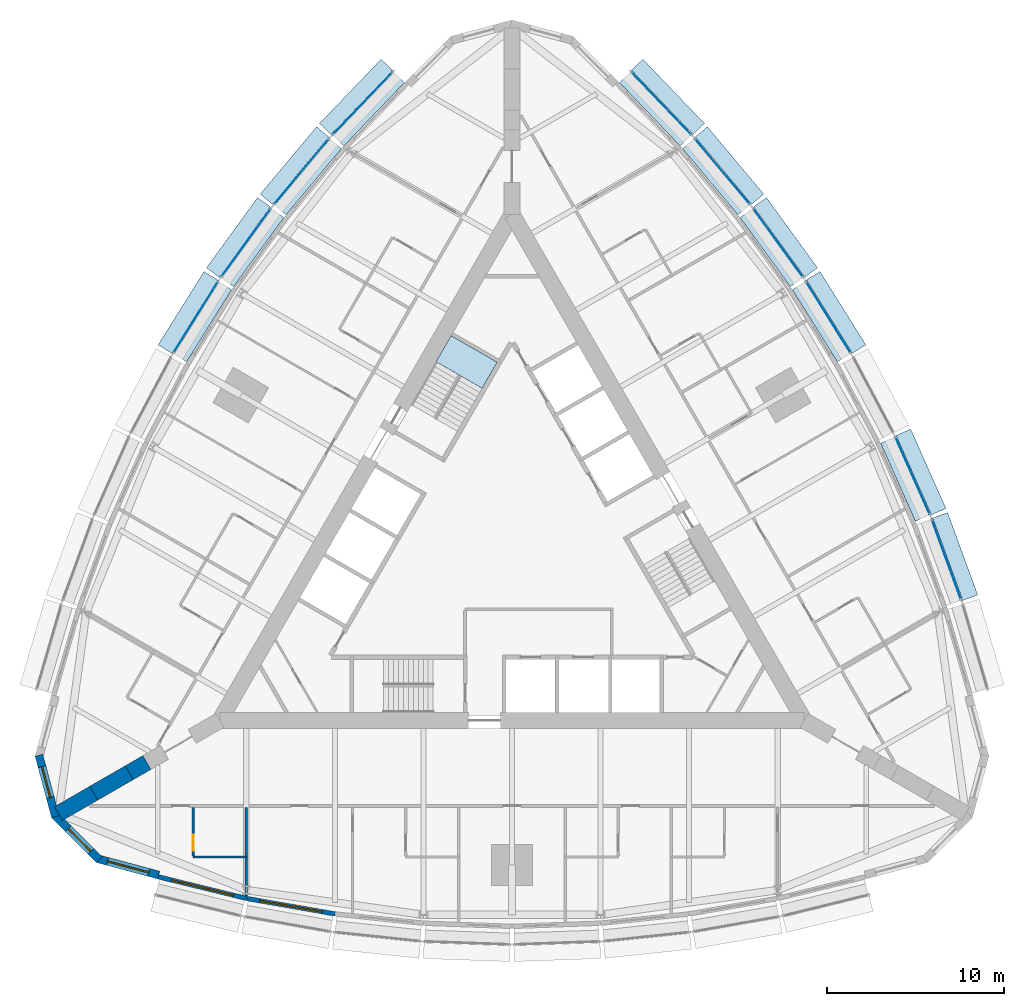
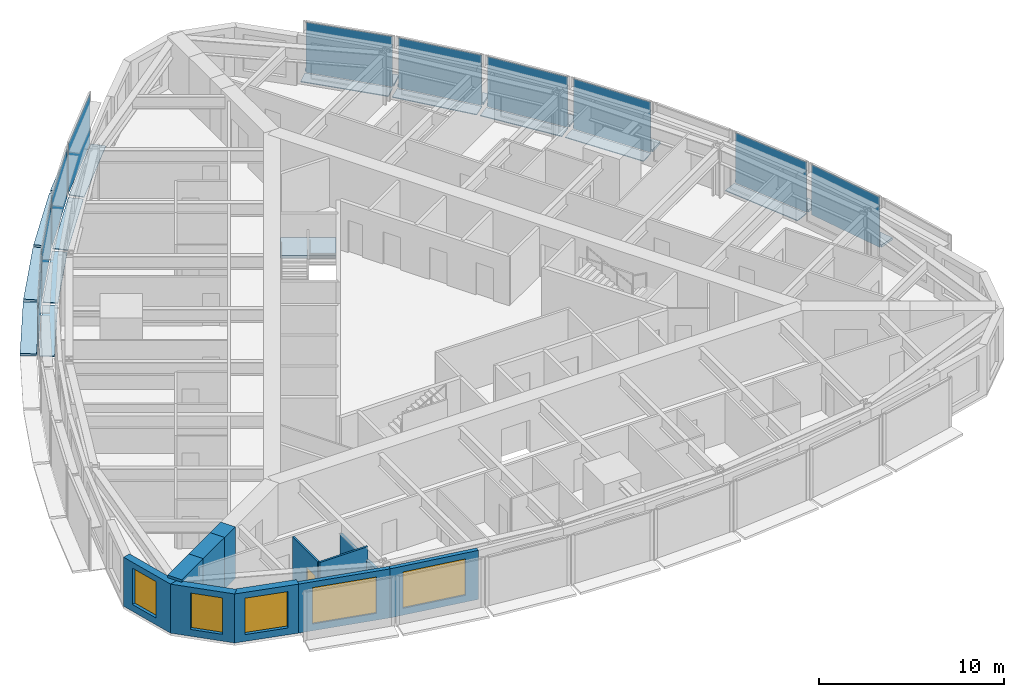
# One storey, part 7 of 14: 29 plates, 11 walls, 5 windows, 1 door, 1 slab, 6 openings, 11 elements without a shape of their own.
"""IFC4 building model written with IfcOpenShell, lengths in metres."""

from ifc_helpers import new_model, si_unit, direction, frame, frame_2d, origin, origin_2d, place, context, subcontext, project, spatial, polyline, rectangle, outline, extrude, material, layer, layer_set, type_object, element, fill, aggregate, save


model = new_model("IFC4")

# Units and contexts
model_context = context("Model", 3, precision=1e-05, world=origin(), true_north=direction((0.0, 1.0)))
body_context = subcontext(model_context, "Body", "Model", "MODEL_VIEW")
ifc_project = project(units=[si_unit("LENGTHUNIT", "METRE"), si_unit("AREAUNIT", "SQUARE_METRE"), si_unit("VOLUMEUNIT", "CUBIC_METRE"), si_unit("PLANEANGLEUNIT", "RADIAN"), si_unit("MASSUNIT", "GRAM", prefix="KILO")], contexts=[model_context])

# Site, building, storey
site_placement = place(None, origin())
site = spatial("IfcSite", under=ifc_project, at=site_placement, CompositionType="ELEMENT")
building_placement = place(site_placement, origin())
building = spatial("IfcBuilding", under=site, at=building_placement, Name="Trikona Tower", CompositionType="ELEMENT")
storey_placement = place(building_placement, frame((0.0, 0.0, 169.10009765625)))
storey = spatial("IfcBuildingStorey", under=building, at=storey_placement, Name="L45", CompositionType="ELEMENT", Elevation=169.10009765625)

# Plates
ifc_material_1 = material(Name="Aluminium bar grating", Category="aluminium")
ifc_layer_1 = layer(ifc_material_1, 0.050048828125)
ifc_layer_set_1 = layer_set([ifc_layer_1], Name="Cavity catwalk grating")
plate_type_1 = type_object("IfcPlateType", Name="Cavity catwalk grating", PredefinedType="USERDEFINED", material=ifc_layer_set_1)
plate_1_placement = place(storey_placement, frame((22.175048828125, 4.092529296875, -0.05029296875), z_axis=(0.0, 0.0, 1.0), x_axis=(-0.406843467615, 0.913497888809, 0.0)))
element("IfcPlate", 1, at=plate_1_placement, inside=storey, type_object=plate_type_1, Name="Cavity catwalk L45-14", ObjectType="CATWALK GRATING", PredefinedType="USERDEFINED", context=body_context, shape_type="SweptSolid", body=[
    extrude(rectangle(XDim=4.827392578125, YDim=0.830078125, at=origin_2d()), origin(), (0.0, 0.0, 1.0), 0.050048828125),
])
plate_2_placement = place(storey_placement, frame((17.450927734375, 12.978759765625, -0.05029296875), z_axis=(0.0, 0.0, 1.0), x_axis=(-0.529994748414, 0.848000923734, 0.0)))
element("IfcPlate", 2, at=plate_2_placement, inside=storey, type_object=plate_type_1, Name="Cavity catwalk L45-16", ObjectType="CATWALK GRATING", PredefinedType="USERDEFINED", context=body_context, shape_type="SweptSolid", body=[
    extrude(rectangle(XDim=4.802978515625, YDim=0.830078125, at=origin_2d()), origin(), (0.0, 0.0, 1.0), 0.050048828125),
])
plate_3_placement = place(storey_placement, frame((14.6318359375, 17.157958984375, -0.05029296875), z_axis=(0.0, 0.0, 1.0), x_axis=(-0.587686407834, 0.809088799853, 0.0)))
element("IfcPlate", 3, at=plate_3_placement, inside=storey, type_object=plate_type_1, Name="Cavity catwalk L45-17", ObjectType="CATWALK GRATING", PredefinedType="USERDEFINED", context=body_context, shape_type="SweptSolid", body=[
    extrude(rectangle(XDim=4.827392578125, YDim=0.830078125, at=origin_2d()), origin(), (0.0, 0.0, 1.0), 0.050048828125),
])
plate_4_placement = place(storey_placement, frame((11.508056640625, 21.160400390625, -0.05029296875), z_axis=(0.0, 0.0, 1.0), x_axis=(-0.641807063101, 0.766866151133, 0.0)))
element("IfcPlate", 4, at=plate_4_placement, inside=storey, type_object=plate_type_1, Name="Cavity catwalk L45-18", ObjectType="CATWALK GRATING", PredefinedType="USERDEFINED", context=body_context, shape_type="SweptSolid", body=[
    extrude(rectangle(XDim=4.8759765625, YDim=0.830078125, at=origin_2d()), origin(), (0.0, 0.0, 1.0), 0.050048828125),
])
for number, where, z_axis, x_axis, name in (
    (5, (8.080078125, 24.986328125, -0.05029296875), (0.0, 0.0, 1.0), (-0.691723573819, 0.722162376078, 0.0), "Cavity catwalk L45-19"),
    (6, (-8.080078125, 24.986328125, -0.05029296875), (0.0, 0.0, 1.0), (-0.691723573819, -0.722162376078, 0.0), "Cavity catwalk L45-24"),
):
    element("IfcPlate", number, at=place(storey_placement, frame(where, z_axis=z_axis, x_axis=x_axis)), inside=storey, type_object=plate_type_1, Name=name, ObjectType="CATWALK GRATING", PredefinedType="USERDEFINED", context=body_context, shape_type="SweptSolid", body=[
        extrude(rectangle(XDim=4.947998046875, YDim=0.830078125, at=origin_2d()), origin(), (0.0, 0.0, 1.0), 0.050048828125),
    ])
plate_5_placement = place(storey_placement, frame((-11.508056640625, 21.160400390625, -0.05029296875), z_axis=(0.0, 0.0, 1.0), x_axis=(-0.641807063101, -0.766866151133, 0.0)))
element("IfcPlate", 7, at=plate_5_placement, inside=storey, type_object=plate_type_1, Name="Cavity catwalk L45-25", ObjectType="CATWALK GRATING", PredefinedType="USERDEFINED", context=body_context, shape_type="SweptSolid", body=[
    extrude(rectangle(XDim=4.8759765625, YDim=0.830078125, at=origin_2d()), origin(), (0.0, 0.0, 1.0), 0.050048828125),
])
plate_6_placement = place(storey_placement, frame((-14.6318359375, 17.157958984375, -0.05029296875), z_axis=(0.0, 0.0, 1.0), x_axis=(-0.587686407834, -0.809088799853, 0.0)))
element("IfcPlate", 8, at=plate_6_placement, inside=storey, type_object=plate_type_1, Name="Cavity catwalk L45-26", ObjectType="CATWALK GRATING", PredefinedType="USERDEFINED", context=body_context, shape_type="SweptSolid", body=[
    extrude(rectangle(XDim=4.827392578125, YDim=0.830078125, at=origin_2d()), origin(), (0.0, 0.0, 1.0), 0.050048828125),
])
plate_7_placement = place(storey_placement, frame((-17.450927734375, 12.978759765625, -0.05029296875), z_axis=(0.0, 0.0, 1.0), x_axis=(-0.529994748414, -0.848000923734, 0.0)))
element("IfcPlate", 9, at=plate_7_placement, inside=storey, type_object=plate_type_1, Name="Cavity catwalk L45-27", ObjectType="CATWALK GRATING", PredefinedType="USERDEFINED", context=body_context, shape_type="SweptSolid", body=[
    extrude(rectangle(XDim=4.802978515625, YDim=0.830078125, at=origin_2d()), origin(), (0.0, 0.0, 1.0), 0.050048828125),
])

# Curtain wall, plate
ifc_material_2 = material(Name="Aluminium curtain wall system", Category="aluminium")
curtain_wall_type = type_object("IfcCurtainWallType", Name="Curtain wall DS2", PredefinedType="NOTDEFINED", material=ifc_material_2)
curtain_wall_1_placement = place(storey_placement, origin())
curtain_wall_1 = element("IfcCurtainWall", 10, at=curtain_wall_1_placement, inside=storey, type_object=curtain_wall_type, Name="Curtain wall DS2 L45", PredefinedType="NOTDEFINED")
ifc_material_3 = material(Name="Laminated clear glass", Category="glass")
ifc_layer_2 = layer(ifc_material_3, 0.028076171875)
ifc_layer_set_2 = layer_set([ifc_layer_2], Name="Glass panel DS2")
plate_type_2 = type_object("IfcPlateType", Name="Glass panel DS2", PredefinedType="CURTAIN_PANEL", material=ifc_layer_set_2)
plate_8_placement = place(storey_placement, frame((24.53515625, -0.447509765625, 0.0), z_axis=(0.0, 0.0, 1.0), x_axis=(-0.343223420143, 0.939253790978, 0.0)))
plate_8 = element("IfcPlate", 11, at=plate_8_placement, type_object=plate_type_2, Name="CW-DS2 panel 1.1", PredefinedType="CURTAIN_PANEL", context=body_context, shape_type="SweptSolid", body=[
    extrude(rectangle(XDim=4.7958984375, YDim=0.028076171875, at=origin_2d()), origin(), (0.0, 0.0, 1.0), 3.320068359375),
])
aggregate(curtain_wall_1, [plate_8])

curtain_wall_2_placement = place(storey_placement, origin())
curtain_wall_2 = element("IfcCurtainWall", 12, at=curtain_wall_2_placement, inside=storey, type_object=curtain_wall_type, Name="Curtain wall DS2 L45", PredefinedType="NOTDEFINED")
plate_9_placement = place(storey_placement, frame((22.6181640625, 4.289794921875, 0.0), z_axis=(0.0, 0.0, 1.0), x_axis=(-0.406836013132, 0.913501208767, 0.0)))
plate_9 = element("IfcPlate", 13, at=plate_9_placement, type_object=plate_type_2, Name="CW-DS2 panel 1.1", PredefinedType="CURTAIN_PANEL", context=body_context, shape_type="SweptSolid", body=[
    extrude(rectangle(XDim=4.747314453125, YDim=0.028076171875, at=origin_2d()), origin(), (0.0, 0.0, 1.0), 3.320068359375),
])
aggregate(curtain_wall_2, [plate_9])

curtain_wall_3_placement = place(storey_placement, origin())
curtain_wall_3 = element("IfcCurtainWall", 14, at=curtain_wall_3_placement, inside=storey, type_object=curtain_wall_type, Name="Curtain wall DS2 L45", PredefinedType="NOTDEFINED")
plate_10_placement = place(storey_placement, frame((17.8623046875, 13.23583984375, 0.0), z_axis=(0.0, 0.0, 1.0), x_axis=(-0.529998940002, 0.847998304006, 0.0)))
plate_10 = element("IfcPlate", 15, at=plate_10_placement, type_object=plate_type_2, Name="CW-DS2 panel 1.1", PredefinedType="CURTAIN_PANEL", context=body_context, shape_type="SweptSolid", body=[
    extrude(rectangle(XDim=4.72314453125, YDim=0.028076171875, at=origin_2d()), origin(), (0.0, 0.0, 1.0), 3.320068359375),
])
aggregate(curtain_wall_3, [plate_10])

curtain_wall_4_placement = place(storey_placement, origin())
curtain_wall_4 = element("IfcCurtainWall", 16, at=curtain_wall_4_placement, inside=storey, type_object=curtain_wall_type, Name="Curtain wall DS2 L45", PredefinedType="NOTDEFINED")
plate_11_placement = place(storey_placement, frame((15.024169921875, 17.443115234375, 0.0), z_axis=(0.0, 0.0, 1.0), x_axis=(-0.587690588313, 0.80908576332, 0.0)))
plate_11 = element("IfcPlate", 17, at=plate_11_placement, type_object=plate_type_2, Name="CW-DS2 panel 1.1", PredefinedType="CURTAIN_PANEL", context=body_context, shape_type="SweptSolid", body=[
    extrude(rectangle(XDim=4.74755859375, YDim=0.028076171875, at=origin_2d()), origin(), (0.0, 0.0, 1.0), 3.320068359375),
])
aggregate(curtain_wall_4, [plate_11])

curtain_wall_5_placement = place(storey_placement, origin())
curtain_wall_5 = element("IfcCurtainWall", 18, at=curtain_wall_5_placement, inside=storey, type_object=curtain_wall_type, Name="Curtain wall DS2 L45", PredefinedType="NOTDEFINED")
plate_12_placement = place(storey_placement, frame((11.8798828125, 21.4716796875, 0.0), z_axis=(0.0, 0.0, 1.0), x_axis=(-0.641806433248, 0.766866678271, 0.0)))
plate_12 = element("IfcPlate", 19, at=plate_12_placement, type_object=plate_type_2, Name="CW-DS2 panel 1.1", PredefinedType="CURTAIN_PANEL", context=body_context, shape_type="SweptSolid", body=[
    extrude(rectangle(XDim=4.7958984375, YDim=0.028076171875, at=origin_2d()), origin(), (0.0, 0.0, 1.0), 3.320068359375),
])
aggregate(curtain_wall_5, [plate_12])

curtain_wall_6_placement = place(storey_placement, origin())
curtain_wall_6 = element("IfcCurtainWall", 20, at=curtain_wall_6_placement, inside=storey, type_object=curtain_wall_type, Name="Curtain wall DS2 L45", PredefinedType="NOTDEFINED")
plate_13_placement = place(storey_placement, frame((8.430419921875, 25.32177734375, 0.0), z_axis=(0.0, 0.0, 1.0), x_axis=(-0.691727797117, 0.722158330767, 0.0)))
plate_13 = element("IfcPlate", 21, at=plate_13_placement, type_object=plate_type_2, Name="CW-DS2 panel 1.1", PredefinedType="CURTAIN_PANEL", context=body_context, shape_type="SweptSolid", body=[
    extrude(rectangle(XDim=4.867919921875, YDim=0.028076171875, at=origin_2d()), origin(), (0.0, 0.0, 1.0), 3.320068359375),
])
aggregate(curtain_wall_6, [plate_13])

curtain_wall_7_placement = place(storey_placement, origin())
curtain_wall_7 = element("IfcCurtainWall", 22, at=curtain_wall_7_placement, inside=storey, type_object=curtain_wall_type, Name="Curtain wall DS2 L45", PredefinedType="NOTDEFINED")
plate_14_placement = place(storey_placement, frame((-8.430419921875, 25.32177734375, 0.0), z_axis=(0.0, 0.0, 1.0), x_axis=(-0.691727797117, -0.722158330767, 0.0)))
plate_14 = element("IfcPlate", 23, at=plate_14_placement, type_object=plate_type_2, Name="CW-DS2 panel 1.1", PredefinedType="CURTAIN_PANEL", context=body_context, shape_type="SweptSolid", body=[
    extrude(rectangle(XDim=4.867919921875, YDim=0.028076171875, at=origin_2d()), origin(), (0.0, 0.0, 1.0), 3.320068359375),
])
aggregate(curtain_wall_7, [plate_14])

curtain_wall_8_placement = place(storey_placement, origin())
curtain_wall_8 = element("IfcCurtainWall", 24, at=curtain_wall_8_placement, inside=storey, type_object=curtain_wall_type, Name="Curtain wall DS2 L45", PredefinedType="NOTDEFINED")
plate_15_placement = place(storey_placement, frame((-11.8798828125, 21.4716796875, 0.0), z_axis=(0.0, 0.0, 1.0), x_axis=(-0.641806433248, -0.766866678271, 0.0)))
plate_15 = element("IfcPlate", 25, at=plate_15_placement, type_object=plate_type_2, Name="CW-DS2 panel 1.1", PredefinedType="CURTAIN_PANEL", context=body_context, shape_type="SweptSolid", body=[
    extrude(rectangle(XDim=4.7958984375, YDim=0.028076171875, at=origin_2d()), origin(), (0.0, 0.0, 1.0), 3.320068359375),
])
aggregate(curtain_wall_8, [plate_15])

curtain_wall_9_placement = place(storey_placement, origin())
curtain_wall_9 = element("IfcCurtainWall", 26, at=curtain_wall_9_placement, inside=storey, type_object=curtain_wall_type, Name="Curtain wall DS2 L45", PredefinedType="NOTDEFINED")
plate_16_placement = place(storey_placement, frame((-15.024169921875, 17.443115234375, 0.0), z_axis=(0.0, 0.0, 1.0), x_axis=(-0.587690588313, -0.80908576332, 0.0)))
plate_16 = element("IfcPlate", 27, at=plate_16_placement, type_object=plate_type_2, Name="CW-DS2 panel 1.1", PredefinedType="CURTAIN_PANEL", context=body_context, shape_type="SweptSolid", body=[
    extrude(rectangle(XDim=4.74755859375, YDim=0.028076171875, at=origin_2d()), origin(), (0.0, 0.0, 1.0), 3.320068359375),
])
aggregate(curtain_wall_9, [plate_16])

curtain_wall_10_placement = place(storey_placement, origin())
curtain_wall_10 = element("IfcCurtainWall", 28, at=curtain_wall_10_placement, inside=storey, type_object=curtain_wall_type, Name="Curtain wall DS2 L45", PredefinedType="NOTDEFINED")
plate_17_placement = place(storey_placement, frame((-17.8623046875, 13.23583984375, 0.0), z_axis=(0.0, 0.0, 1.0), x_axis=(-0.529998940002, -0.847998304006, 0.0)))
plate_17 = element("IfcPlate", 29, at=plate_17_placement, type_object=plate_type_2, Name="CW-DS2 panel 1.1", PredefinedType="CURTAIN_PANEL", context=body_context, shape_type="SweptSolid", body=[
    extrude(rectangle(XDim=4.72314453125, YDim=0.028076171875, at=origin_2d()), origin(), (0.0, 0.0, 1.0), 3.320068359375),
])
aggregate(curtain_wall_10, [plate_17])

# Plates
ifc_material_4 = material(Name="Aluminium plate fin, pale anodised, on stainless steel outriggers", Category="steel")
ifc_layer_3 = layer(ifc_material_4, 0.14990234375)
ifc_layer_set_3 = layer_set([ifc_layer_3], Name="Outer skin fin 900")
plate_type_3 = type_object("IfcPlateType", Name="Outer skin fin 900", PredefinedType="USERDEFINED", material=ifc_layer_set_3)
plate_18_placement = place(storey_placement, frame((25.0234375, -0.26904296875, 0.0), z_axis=(0.0, 0.0, 1.0), x_axis=(-0.343220397324, 0.939254895575, 0.0)))
element("IfcPlate", 30, at=plate_18_placement, inside=storey, type_object=plate_type_3, Name="Outer skin fin L45-13", ObjectType="FIN", PredefinedType="USERDEFINED", context=body_context, shape_type="SweptSolid", body=[
    extrude(rectangle(XDim=4.9560546875, YDim=0.89990234375, at=origin_2d()), origin(), (0.0, 0.0, 1.0), 0.14990234375),
])
plate_19_placement = place(storey_placement, frame((23.09326171875, 4.50146484375, 0.0), z_axis=(0.0, 0.0, 1.0), x_axis=(-0.406843467615, 0.913497888809, 0.0)))
element("IfcPlate", 31, at=plate_19_placement, inside=storey, type_object=plate_type_3, Name="Outer skin fin L45-14", ObjectType="FIN", PredefinedType="USERDEFINED", context=body_context, shape_type="SweptSolid", body=[
    extrude(rectangle(XDim=4.907470703125, YDim=0.89990234375, at=origin_2d()), origin(), (0.0, 0.0, 1.0), 0.14990234375),
])
plate_20_placement = place(storey_placement, frame((18.30322265625, 13.511474609375, 0.0), z_axis=(0.0, 0.0, 1.0), x_axis=(-0.529994748414, 0.848000923734, 0.0)))
element("IfcPlate", 32, at=plate_20_placement, inside=storey, type_object=plate_type_3, Name="Outer skin fin L45-16", ObjectType="FIN", PredefinedType="USERDEFINED", context=body_context, shape_type="SweptSolid", body=[
    extrude(rectangle(XDim=4.883056640625, YDim=0.89990234375, at=origin_2d()), origin(), (0.0, 0.0, 1.0), 0.14990234375),
])
plate_21_placement = place(storey_placement, frame((15.44482421875, 17.74853515625, 0.0), z_axis=(0.0, 0.0, 1.0), x_axis=(-0.587686407834, 0.809088799853, 0.0)))
element("IfcPlate", 33, at=plate_21_placement, inside=storey, type_object=plate_type_3, Name="Outer skin fin L45-17", ObjectType="FIN", PredefinedType="USERDEFINED", context=body_context, shape_type="SweptSolid", body=[
    extrude(rectangle(XDim=4.907470703125, YDim=0.89990234375, at=origin_2d()), origin(), (0.0, 0.0, 1.0), 0.14990234375),
])
plate_22_placement = place(storey_placement, frame((12.27880859375, 21.8056640625, 0.0), z_axis=(0.0, 0.0, 1.0), x_axis=(-0.641807063101, 0.766866151133, 0.0)))
element("IfcPlate", 34, at=plate_22_placement, inside=storey, type_object=plate_type_3, Name="Outer skin fin L45-18", ObjectType="FIN", PredefinedType="USERDEFINED", context=body_context, shape_type="SweptSolid", body=[
    extrude(rectangle(XDim=4.9560546875, YDim=0.89990234375, at=origin_2d()), origin(), (0.0, 0.0, 1.0), 0.14990234375),
])
for number, where, z_axis, x_axis, name in (
    (35, (8.805908203125, 25.681396484375, 0.0), (0.0, 0.0, 1.0), (-0.691723573819, 0.722162376078, 0.0), "Outer skin fin L45-19"),
    (36, (-8.805908203125, 25.681396484375, 0.0), (0.0, 0.0, 1.0), (-0.691723573819, -0.722162376078, 0.0), "Outer skin fin L45-24"),
):
    element("IfcPlate", number, at=place(storey_placement, frame(where, z_axis=z_axis, x_axis=x_axis)), inside=storey, type_object=plate_type_3, Name=name, ObjectType="FIN", PredefinedType="USERDEFINED", context=body_context, shape_type="SweptSolid", body=[
        extrude(rectangle(XDim=5.02783203125, YDim=0.89990234375, at=origin_2d()), origin(), (0.0, 0.0, 1.0), 0.14990234375),
    ])
plate_23_placement = place(storey_placement, frame((-12.27880859375, 21.8056640625, 0.0), z_axis=(0.0, 0.0, 1.0), x_axis=(-0.641807063101, -0.766866151133, 0.0)))
element("IfcPlate", 37, at=plate_23_placement, inside=storey, type_object=plate_type_3, Name="Outer skin fin L45-25", ObjectType="FIN", PredefinedType="USERDEFINED", context=body_context, shape_type="SweptSolid", body=[
    extrude(rectangle(XDim=4.9560546875, YDim=0.89990234375, at=origin_2d()), origin(), (0.0, 0.0, 1.0), 0.14990234375),
])
plate_24_placement = place(storey_placement, frame((-15.44482421875, 17.74853515625, 0.0), z_axis=(0.0, 0.0, 1.0), x_axis=(-0.587686407834, -0.809088799853, 0.0)))
element("IfcPlate", 38, at=plate_24_placement, inside=storey, type_object=plate_type_3, Name="Outer skin fin L45-26", ObjectType="FIN", PredefinedType="USERDEFINED", context=body_context, shape_type="SweptSolid", body=[
    extrude(rectangle(XDim=4.907470703125, YDim=0.89990234375, at=origin_2d()), origin(), (0.0, 0.0, 1.0), 0.14990234375),
])
plate_25_placement = place(storey_placement, frame((-18.30322265625, 13.511474609375, 0.0), z_axis=(0.0, 0.0, 1.0), x_axis=(-0.529994748414, -0.848000923734, 0.0)))
element("IfcPlate", 39, at=plate_25_placement, inside=storey, type_object=plate_type_3, Name="Outer skin fin L45-27", ObjectType="FIN", PredefinedType="USERDEFINED", context=body_context, shape_type="SweptSolid", body=[
    extrude(rectangle(XDim=4.883056640625, YDim=0.89990234375, at=origin_2d()), origin(), (0.0, 0.0, 1.0), 0.14990234375),
])

# Stair, slab
ifc_material_5 = material(Name="Concrete f'c 5000 psi", Category="concrete")
stair_type = type_object("IfcStairType", Name="Core stair", PredefinedType="HALF_TURN_STAIR", material=ifc_material_5)
stair_placement = place(storey_placement, origin())
stair = element("IfcStair", 40, at=stair_placement, inside=storey, type_object=stair_type, Name="Stair C L45", PredefinedType="HALF_TURN_STAIR")
ifc_material_6 = material(Name="Concrete f'c 5000 psi", Category="concrete")
ifc_layer_4 = layer(ifc_material_6, 0.199951171875)
ifc_layer_set_4 = layer_set([ifc_layer_4], Name="Stair landing 200")
slab_type = type_object("IfcSlabType", Name="Stair landing 200", PredefinedType="LANDING", material=ifc_layer_set_4)
slab_placement = place(storey_placement, frame((0.0, 0.0, 1.5)))
slab = element("IfcSlab", 41, at=slab_placement, type_object=slab_type, Name="ST-C landing 2", PredefinedType="LANDING", context=body_context, shape_type="SweptSolid", body=[
    extrude(outline(polyline([(-0.837158203125, 10.702392578125), (-1.688720703125, 9.2275390625), (-4.286865234375, 10.7275390625), (-3.435302734375, 12.202392578125), (-0.837158203125, 10.702392578125)])), origin(), (0.0, 0.0, 1.0), 0.199951171875),
])
aggregate(stair, [slab])

# Wall
ifc_material_7 = material(Name="Metal stud and cement board", Category="gypsum")
ifc_layer_5 = layer(ifc_material_7, 0.1201171875)
ifc_layer_set_5 = layer_set([ifc_layer_5], Name="Bathroom wall 120")
wall_type_1 = type_object("IfcWallType", Name="Bathroom wall 120", PredefinedType="PLUMBINGWALL", material=ifc_layer_set_5)
wall_1_placement = place(storey_placement, frame((-18.0, -17.226318359375, 0.0), z_axis=(0.0, 0.0, 1.0), x_axis=(1.0, 0.0, 0.0)))
element("IfcWall", 42, at=wall_1_placement, inside=storey, type_object=wall_type_1, Name="Bathroom wall 4501", PredefinedType="PLUMBINGWALL", context=body_context, shape_type="SweptSolid", body=[
    extrude(rectangle(XDim=3.0, YDim=0.1201171875, at=frame_2d((1.5, 0.0))), origin(), (0.0, 0.0, 1.0), 3.23486328125),
])

# Wall, opening, door
wall_2_placement = place(storey_placement, frame((-18.0, -14.42626953125, 0.0), z_axis=(0.0, 0.0, 1.0), x_axis=(0.0, -1.0, 0.0)))
wall_2 = element("IfcWall", 43, at=wall_2_placement, inside=storey, type_object=wall_type_1, Name="Bathroom wall 4501", PredefinedType="PLUMBINGWALL", context=body_context, shape_type="SweptSolid", body=[
    extrude(rectangle(XDim=2.739990234375, YDim=0.1201171875, at=frame_2d((1.3701171875, 0.0))), origin(), (0.0, 0.0, 1.0), 3.23486328125),
])
opening_1_placement = place(wall_2_placement, frame((1.550048828125, 0.0, 0.0)))
opening_1 = element("IfcOpeningElement", 44, at=opening_1_placement, cuts=wall_2, Name="Opening D2", PredefinedType="OPENING", context=body_context, shape_type="SweptSolid", body=[
    extrude(rectangle(XDim=0.89990234375, YDim=2.1298828125, at=frame_2d((0.449951171875, 1.06494140625))), frame((0.0, 0.070068359375, 0.0), z_axis=(0.0, -1.0, 0.0), x_axis=(1.0, 0.0, 0.0)), (0.0, 0.0, 1.0), 0.14013671875),
])
ifc_material_8 = material(Name="Steel door frame with solid-core timber leaf", Category="steel")
door_type = type_object("IfcDoorType", Name="Bathroom door 900x2130", OperationType="SLIDING_TO_LEFT", PredefinedType="DOOR", material=ifc_material_8)
door_placement = place(opening_1_placement, origin())
door = element("IfcDoor", 45, at=door_placement, inside=storey, type_object=door_type, Name="Bathroom door 4501", OperationType="SLIDING_TO_LEFT", OverallHeight=2.1298828125, OverallWidth=0.89990234375, PredefinedType="DOOR", context=body_context, shape_type="SweptSolid", body=[
    extrude(rectangle(XDim=0.89990234375, YDim=2.1298828125, at=frame_2d((0.449951171875, 1.06494140625))), frame((0.0, 0.02490234375, 0.0), z_axis=(0.0, -1.0, 0.0), x_axis=(1.0, 0.0, 0.0)), (0.0, 0.0, 1.0), 0.050048828125),
])
fill(opening_1, door)

# Wall, opening, window
ifc_material_9 = material(Name="Brick-faced precast concrete", Category="masonry")
ifc_layer_6 = layer(ifc_material_9, 0.449951171875)
ifc_layer_set_6 = layer_set([ifc_layer_6], Name="Brick-faced corner wall 450")
wall_type_2 = type_object("IfcWallType", Name="Brick-faced corner wall 450", PredefinedType="SOLIDWALL", material=ifc_layer_set_6)
wall_3_placement = place(storey_placement, frame((-26.7109375, -11.48876953125, 0.0), z_axis=(0.0, 0.0, 1.0), x_axis=(0.258823421857, -0.965924653531, 0.0)))
wall_3 = element("IfcWall", 46, at=wall_3_placement, inside=storey, type_object=wall_type_2, Name="External wall L45-33", PredefinedType="SOLIDWALL", context=body_context, shape_type="SweptSolid", body=[
    extrude(outline(polyline([(3.58642578125, 0.22509765625), (3.52685546875, 0.22509765625), (3.03515625, 0.09326171875), (3.0, 0.22509765625), (0.0, 0.22509765625), (0.0, -0.22509765625), (3.58642578125, -0.22509765625), (3.58642578125, 0.22509765625)])), origin(), (0.0, 0.0, 1.0), 3.23486328125),
])
opening_2_placement = place(wall_3_placement, frame((0.6748046875, 0.0, 0.449951171875)))
opening_2 = element("IfcOpeningElement", 47, at=opening_2_placement, cuts=wall_3, Name="Opening W1824", PredefinedType="OPENING", context=body_context, shape_type="SweptSolid", body=[
    extrude(rectangle(XDim=1.800048828125, YDim=2.39990234375, at=frame_2d((0.89990234375, 1.199951171875))), frame((0.0, 0.23486328125, 0.0), z_axis=(0.0, -1.0, 0.0), x_axis=(1.0, 0.0, 0.0)), (0.0, 0.0, 1.0), 0.469970703125),
])
ifc_material_10 = material(Name="Aluminium-framed double glazing", Category="aluminium")
window_type_1 = type_object("IfcWindowType", Name="Window 1800x2400", PartitioningType="SINGLE_PANEL", PredefinedType="WINDOW", material=ifc_material_10)
window_1_placement = place(opening_2_placement, origin())
window_1 = element("IfcWindow", 48, at=window_1_placement, inside=storey, type_object=window_type_1, Name="Window 4513", OverallHeight=2.39990234375, OverallWidth=1.800048828125, PartitioningType="SINGLE_PANEL", PredefinedType="WINDOW", context=body_context, shape_type="SweptSolid", body=[
    extrude(rectangle(XDim=1.800048828125, YDim=2.39990234375, at=frame_2d((0.89990234375, 1.199951171875))), frame((0.0, 0.030029296875, 0.0), z_axis=(0.0, -1.0, 0.0), x_axis=(1.0, 0.0, 0.0)), (0.0, 0.0, 1.0), 0.06005859375),
])
fill(opening_2, window_1)

wall_4_placement = place(storey_placement, frame((-25.8408203125, -14.85205078125, 0.0), z_axis=(0.0, 0.0, 1.0), x_axis=(0.707106781187, -0.707106781187, 0.0)))
wall_4 = element("IfcWall", 49, at=wall_4_placement, inside=storey, type_object=wall_type_2, Name="External wall L45-34", PredefinedType="SOLIDWALL", context=body_context, shape_type="SweptSolid", body=[
    extrude(outline(polyline([(3.586181640625, 0.22509765625), (0.58642578125, 0.22509765625), (0.551025390625, 0.09326171875), (0.05908203125, 0.22509765625), (0.0, 0.22509765625), (0.0, -0.22509765625), (3.586181640625, -0.22509765625), (3.586181640625, 0.22509765625)])), origin(), (0.0, 0.0, 1.0), 3.23486328125),
])
opening_3_placement = place(wall_4_placement, frame((1.111328125, 0.0, 0.449951171875)))
opening_3 = element("IfcOpeningElement", 50, at=opening_3_placement, cuts=wall_4, Name="Opening W1824", PredefinedType="OPENING", context=body_context, shape_type="SweptSolid", body=[
    extrude(rectangle(XDim=1.800048828125, YDim=2.39990234375, at=frame_2d((0.89990234375, 1.199951171875))), frame((0.0, 0.23486328125, 0.0), z_axis=(0.0, -1.0, 0.0), x_axis=(1.0, 0.0, 0.0)), (0.0, 0.0, 1.0), 0.469970703125),
])
window_2_placement = place(opening_3_placement, origin())
window_2 = element("IfcWindow", 51, at=window_2_placement, inside=storey, type_object=window_type_1, Name="Window 4501", OverallHeight=2.39990234375, OverallWidth=1.800048828125, PartitioningType="SINGLE_PANEL", PredefinedType="WINDOW", context=body_context, shape_type="SweptSolid", body=[
    extrude(rectangle(XDim=1.800048828125, YDim=2.39990234375, at=frame_2d((0.89990234375, 1.199951171875))), frame((0.0, 0.030029296875, 0.0), z_axis=(0.0, -1.0, 0.0), x_axis=(1.0, 0.0, 0.0)), (0.0, 0.0, 1.0), 0.06005859375),
])
fill(opening_3, window_2)

wall_5_placement = place(storey_placement, frame((-23.406005859375, -17.32958984375, 0.0), z_axis=(0.0, 0.0, 1.0), x_axis=(0.965924653531, -0.258823421857, 0.0)))
wall_5 = element("IfcWall", 52, at=wall_5_placement, inside=storey, type_object=wall_type_2, Name="External wall L45-35", PredefinedType="SOLIDWALL", context=body_context, shape_type="SweptSolid", body=[
    extrude(rectangle(XDim=3.58642578125, YDim=0.449951171875, at=frame_2d((1.793212890625, 0.0))), origin(), (0.0, 0.0, 1.0), 3.23486328125),
])
opening_4_placement = place(wall_5_placement, frame((0.593017578125, 0.0, 0.449951171875)))
opening_4 = element("IfcOpeningElement", 53, at=opening_4_placement, cuts=wall_5, Name="Opening W2424", PredefinedType="OPENING", context=body_context, shape_type="SweptSolid", body=[
    extrude(rectangle(XDim=2.39990234375, YDim=2.39990234375, at=frame_2d((1.199951171875, 1.199951171875))), frame((0.0, 0.23486328125, 0.0), z_axis=(0.0, -1.0, 0.0), x_axis=(1.0, 0.0, 0.0)), (0.0, 0.0, 1.0), 0.469970703125),
])
ifc_material_11 = material(Name="Aluminium-framed double glazing", Category="aluminium")
window_type_2 = type_object("IfcWindowType", Name="Window 2400x2400", PartitioningType="SINGLE_PANEL", PredefinedType="WINDOW", material=ifc_material_11)
window_3_placement = place(opening_4_placement, origin())
window_3 = element("IfcWindow", 54, at=window_3_placement, inside=storey, type_object=window_type_2, Name="Window 4501", OverallHeight=2.39990234375, OverallWidth=2.39990234375, PartitioningType="SINGLE_PANEL", PredefinedType="WINDOW", context=body_context, shape_type="SweptSolid", body=[
    extrude(rectangle(XDim=2.39990234375, YDim=2.39990234375, at=frame_2d((1.199951171875, 1.199951171875))), frame((0.0, 0.030029296875, 0.0), z_axis=(0.0, -1.0, 0.0), x_axis=(1.0, 0.0, 0.0)), (0.0, 0.0, 1.0), 0.06005859375),
])
fill(opening_4, window_3)

# Walls
ifc_material_12 = material(Name="Concrete f'c 10000 psi", Category="concrete")
ifc_layer_7 = layer(ifc_material_12, 0.89990234375)
ifc_layer_set_7 = layer_set([ifc_layer_7], Name="Buttress wall 900")
wall_type_3 = type_object("IfcWallType", Name="Buttress wall 900", PredefinedType="SHEAR", material=ifc_layer_set_7)
wall_6_placement = place(storey_placement, frame((-20.6103515625, -11.8994140625, 0.0), z_axis=(0.0, 0.0, 1.0), x_axis=(-0.866009537788, -0.500027479704, 0.0)))
element("IfcWall", 55, at=wall_6_placement, inside=storey, type_object=wall_type_3, Name="Buttress wall 3 part 2", PredefinedType="SHEAR", context=body_context, shape_type="SweptSolid", body=[
    extrude(rectangle(XDim=1.15478515625, YDim=0.89990234375, at=frame_2d((0.577392578125, 0.0))), origin(), (0.0, 0.0, 1.0), 3.39990234375),
])
for number, where, z_axis, x_axis, name in (
    (56, (-21.6103515625, -12.476806640625, 0.0), (0.0, 0.0, 1.0), (-0.866055313784, -0.499948190782, 0.0), "Buttress wall 3 part 3"),
    (57, (-23.6103515625, -13.63134765625, 0.0), (0.0, 0.0, 1.0), (-0.866009537788, -0.500027479704, 0.0), "Buttress wall 3 part 4"),
):
    element("IfcWall", number, at=place(storey_placement, frame(where, z_axis=z_axis, x_axis=x_axis)), inside=storey, type_object=wall_type_3, Name=name, PredefinedType="SHEAR", context=body_context, shape_type="SweptSolid", body=[
        extrude(rectangle(XDim=2.309326171875, YDim=0.89990234375, at=frame_2d((1.15478515625, 0.0))), origin(), (0.0, 0.0, 1.0), 3.39990234375),
    ])

# Wall, opening, window
ifc_material_13 = material(Name="Insulated precast concrete spandrel panel", Category="concrete")
ifc_layer_8 = layer(ifc_material_13, 0.25)
ifc_layer_set_8 = layer_set([ifc_layer_8], Name="Inner skin wall 250")
wall_type_4 = type_object("IfcWallType", Name="Inner skin wall 250", PredefinedType="STANDARD", material=ifc_layer_set_8)
wall_7_placement = place(storey_placement, frame((-19.97021484375, -18.353759765625, 0.0), z_axis=(0.0, 0.0, 1.0), x_axis=(0.971270024053, -0.237980126011, 0.0)))
wall_7 = element("IfcWall", 58, at=wall_7_placement, inside=storey, type_object=wall_type_4, Name="External wall L45-00", PredefinedType="STANDARD", context=body_context, shape_type="SweptSolid", body=[
    extrude(rectangle(XDim=5.14794921875, YDim=0.25, at=frame_2d((2.573974609375, 0.0))), origin(), (0.0, 0.0, 1.0), 3.23486328125),
])
opening_5_placement = place(wall_7_placement, frame((0.77392578125, 0.0, 0.449951171875)))
opening_5 = element("IfcOpeningElement", 59, at=opening_5_placement, cuts=wall_7, Name="Opening W3624", PredefinedType="OPENING", context=body_context, shape_type="SweptSolid", body=[
    extrude(rectangle(XDim=3.60009765625, YDim=2.39990234375, at=frame_2d((1.800048828125, 1.199951171875))), frame((0.0, 0.135009765625, 0.0), z_axis=(0.0, -1.0, 0.0), x_axis=(1.0, 0.0, 0.0)), (0.0, 0.0, 1.0), 0.27001953125),
])
ifc_material_14 = material(Name="Aluminium-framed double glazing", Category="aluminium")
window_type_3 = type_object("IfcWindowType", Name="Window 3600x2400", PartitioningType="SINGLE_PANEL", PredefinedType="WINDOW", material=ifc_material_14)
window_4_placement = place(opening_5_placement, origin())
window_4 = element("IfcWindow", 60, at=window_4_placement, inside=storey, type_object=window_type_3, Name="Window 4501", OverallHeight=2.39990234375, OverallWidth=3.60009765625, PartitioningType="SINGLE_PANEL", PredefinedType="WINDOW", context=body_context, shape_type="SweptSolid", body=[
    extrude(rectangle(XDim=3.60009765625, YDim=2.39990234375, at=frame_2d((1.800048828125, 1.199951171875))), frame((0.0, 0.030029296875, 0.0), z_axis=(0.0, -1.0, 0.0), x_axis=(1.0, 0.0, 0.0)), (0.0, 0.0, 1.0), 0.06005859375),
])
fill(opening_5, window_4)

wall_8_placement = place(storey_placement, frame((-14.978515625, -19.5771484375, 0.0), z_axis=(0.0, 0.0, 1.0), x_axis=(0.985030467156, -0.172380331752, 0.0)))
wall_8 = element("IfcWall", 61, at=wall_8_placement, inside=storey, type_object=wall_type_4, Name="External wall L45-01", PredefinedType="STANDARD", context=body_context, shape_type="SweptSolid", body=[
    extrude(rectangle(XDim=5.075927734375, YDim=0.25, at=frame_2d((2.5380859375, 0.0))), origin(), (0.0, 0.0, 1.0), 3.23486328125),
])
opening_6_placement = place(wall_8_placement, frame((0.738037109375, 0.0, 0.449951171875)))
opening_6 = element("IfcOpeningElement", 62, at=opening_6_placement, cuts=wall_8, Name="Opening W3624", PredefinedType="OPENING", context=body_context, shape_type="SweptSolid", body=[
    extrude(rectangle(XDim=3.60009765625, YDim=2.39990234375, at=frame_2d((1.800048828125, 1.199951171875))), frame((0.0, 0.135009765625, 0.0), z_axis=(0.0, -1.0, 0.0), x_axis=(1.0, 0.0, 0.0)), (0.0, 0.0, 1.0), 0.27001953125),
])
window_5_placement = place(opening_6_placement, origin())
window_5 = element("IfcWindow", 63, at=window_5_placement, inside=storey, type_object=window_type_3, Name="Window 4502", OverallHeight=2.39990234375, OverallWidth=3.60009765625, PartitioningType="SINGLE_PANEL", PredefinedType="WINDOW", context=body_context, shape_type="SweptSolid", body=[
    extrude(rectangle(XDim=3.60009765625, YDim=2.39990234375, at=frame_2d((1.800048828125, 1.199951171875))), frame((0.0, 0.030029296875, 0.0), z_axis=(0.0, -1.0, 0.0), x_axis=(1.0, 0.0, 0.0)), (0.0, 0.0, 1.0), 0.06005859375),
])
fill(opening_6, window_5)

# Wall
ifc_material_15 = material(Name="Metal stud and gypsum board, 1-hour acoustic", Category="gypsum")
ifc_layer_9 = layer(ifc_material_15, 0.14990234375)
ifc_layer_set_9 = layer_set([ifc_layer_9], Name="Party wall 150")
wall_type_5 = type_object("IfcWallType", Name="Party wall 150", PredefinedType="PARTITIONING", material=ifc_layer_set_9)
wall_9_placement = place(storey_placement, frame((-15.0, -14.42626953125, 0.0), z_axis=(0.0, 0.0, 1.0), x_axis=(0.0, -1.0, 0.0)))
element("IfcWall", 64, at=wall_9_placement, inside=storey, type_object=wall_type_5, Name="Partition L45 F1 u-15", PredefinedType="PARTITIONING", context=body_context, shape_type="SweptSolid", body=[
    extrude(rectangle(XDim=5.0166015625, YDim=0.14990234375, at=frame_2d((2.50830078125, 0.0))), origin(), (0.0, 0.0, 1.0), 2.38916015625),
])

save(model, "model.ifc")
